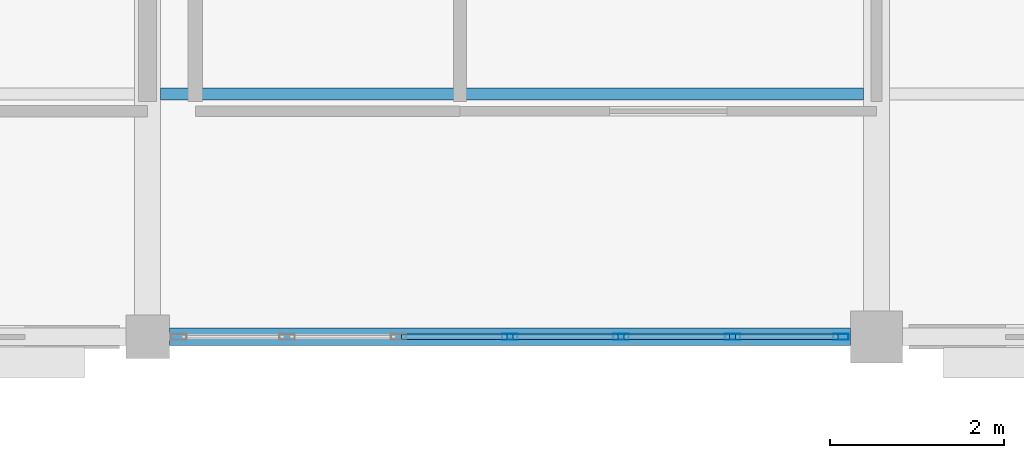
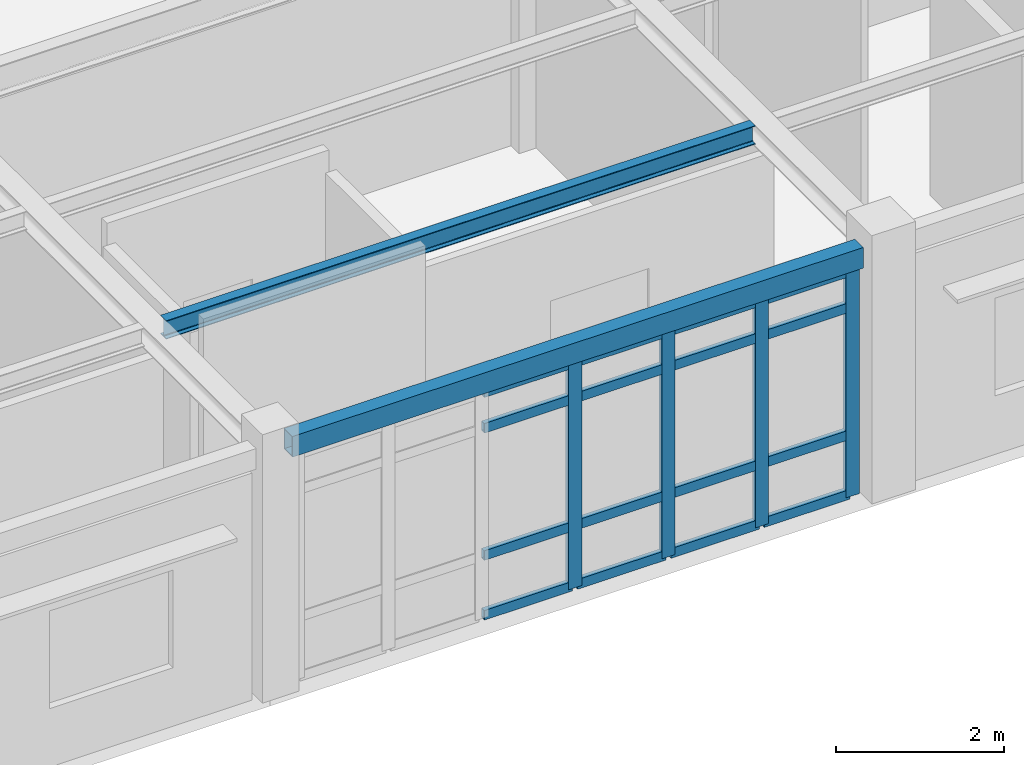
# One storey, part 17 of 70: 20 members, 2 beams, 1 element without a shape of its own.
"""IFC4 building model written with IfcOpenShell, lengths in metres."""

from ifc_helpers import new_model, si_unit, direction, frame, origin, origin_2d, place, context, subcontext, project, spatial, hollow_rectangle, i_section, extrude, material, layer, layer_set, material_profile, profile_set, type_object, element, aggregate, save


model = new_model("IFC4")

# Units and contexts
model_context = context("Model", 3, precision=1e-05, world=origin(), true_north=direction((0.0, 1.0)))
body_context = subcontext(model_context, "Body", "Model", "MODEL_VIEW")
ifc_project = project(units=[si_unit("LENGTHUNIT", "METRE"), si_unit("AREAUNIT", "SQUARE_METRE"), si_unit("VOLUMEUNIT", "CUBIC_METRE"), si_unit("PLANEANGLEUNIT", "RADIAN"), si_unit("MASSUNIT", "GRAM", prefix="KILO")], contexts=[model_context])

# Site, building, storey
site_placement = place(None, origin())
site = spatial("IfcSite", under=ifc_project, at=site_placement, CompositionType="ELEMENT")
building_placement = place(site_placement, origin())
building = spatial("IfcBuilding", under=site, at=building_placement, Name="Bramfleet General Hospital", CompositionType="ELEMENT")
storey_placement = place(building_placement, frame((0.0, 0.0, 22.5)))
storey = spatial("IfcBuildingStorey", under=building, at=storey_placement, Name="L05", CompositionType="ELEMENT", Elevation=22.5)

# Beams
ifc_material_1 = material(Name="Steel S355", Category="steel")
ifc_material_profile_1 = material_profile(ifc_material_1, i_section(OverallWidth=0.135009765625, OverallDepth=0.27001953125, WebThickness=0.006591796875, FlangeThickness=0.01025390625, FilletRadius=0.014892578125, at=origin_2d()), Name="IPE 270")
ifc_profile_set_1 = profile_set([ifc_material_profile_1], Name="Steel S355")
beam_type_1 = type_object("IfcBeamType", Name="BM-IPE270", PredefinedType="JOIST", material=ifc_profile_set_1)
beam_1_placement = place(storey_placement, frame((58.949951171875, 95.199951171875, 3.47509765625), z_axis=(1.0, 0.0, 0.0), x_axis=(0.0, 1.0, 0.0)))
element("IfcBeam", 1, at=beam_1_placement, inside=storey, type_object=beam_type_1, Name="L05 Secondary Joist 07-11-1", PredefinedType="JOIST", context=body_context, shape_type="SweptSolid", body=[
    extrude(i_section(OverallWidth=0.135009765625, OverallDepth=0.27001953125, WebThickness=0.006591796875, FlangeThickness=0.01025390625, FilletRadius=0.014892578125, at=origin_2d()), origin(), (0.0, 0.0, 1.0), 8.10009765625),
])
ifc_material_profile_2 = material_profile(ifc_material_1, hollow_rectangle(XDim=0.199951171875, YDim=0.300048828125, WallThickness=0.012451171875, at=origin_2d()), Name="RHS 300x200x12.5")
ifc_profile_set_2 = profile_set([ifc_material_profile_2], Name="Steel S355")
beam_type_2 = type_object("IfcBeamType", Name="BM-RHS300", PredefinedType="SPANDREL", material=ifc_profile_set_2)
beam_2_placement = place(storey_placement, frame((59.050048828125, 92.39990234375, 3.4599609375), z_axis=(1.0, 0.0, 0.0), x_axis=(0.0, 1.0, 0.0)))
element("IfcBeam", 2, at=beam_2_placement, inside=storey, type_object=beam_type_2, Name="L05 Grid Beam X 07-11", PredefinedType="SPANDREL", context=body_context, shape_type="SweptSolid", body=[
    extrude(hollow_rectangle(XDim=0.199951171875, YDim=0.300048828125, WallThickness=0.012451171875, at=origin_2d()), origin(), (0.0, 0.0, 1.0), 7.849853515625),
])

# Curtain wall, members
ifc_material_2 = material(Name="Anodised aluminium and low-E triple glazing", Category="aluminium")
ifc_layer = layer(ifc_material_2, 0.179931640625, Name="CWT-CW-03")
ifc_layer_set = layer_set([ifc_layer], Name="Anodised aluminium and low-E triple glazing")
curtain_wall_type = type_object("IfcCurtainWallType", Name="CWT-CW-03", PredefinedType="USERDEFINED", material=ifc_layer_set)
curtain_wall_placement = place(storey_placement, origin())
curtain_wall = element("IfcCurtainWall", 3, at=curtain_wall_placement, inside=storey, type_object=curtain_wall_type, Name="L05 Curtain Wall 201", ObjectType="Unitised curtain wall", PredefinedType="USERDEFINED")
ifc_material_3 = material(Name="Anodised aluminium EN AW-6060", Category="aluminium")
ifc_material_profile_3 = material_profile(ifc_material_3, hollow_rectangle(XDim=0.070068359375, YDim=0.179931640625, WallThickness=0.00390625, at=origin_2d()), Name="ALU 180x70x4.0")
ifc_profile_set_3 = profile_set([ifc_material_profile_3], Name="Anodised aluminium EN AW-6060")
member_type_1 = type_object("IfcMemberType", Name="CWM-ALU180", PredefinedType="MULLION", material=ifc_profile_set_3)
member_1_placement = place(storey_placement, frame((66.7900390625, 92.39990234375, 0.0), z_axis=(0.0, 0.0, 1.0), x_axis=(0.0, -1.0, 0.0)))
member_1 = element("IfcMember", 4, at=member_1_placement, type_object=member_type_1, Name="CW-03 mullion 1", PredefinedType="MULLION", context=body_context, shape_type="SweptSolid", body=[
    extrude(hollow_rectangle(XDim=0.070068359375, YDim=0.179931640625, WallThickness=0.00390625, at=origin_2d()), origin(), (0.0, 0.0, 1.0), 3.300048828125),
])
member_2_placement = place(storey_placement, frame((65.541748046875, 92.39990234375, 0.0), z_axis=(0.0, 0.0, 1.0), x_axis=(0.0, -1.0, 0.0)))
member_2 = element("IfcMember", 5, at=member_2_placement, type_object=member_type_1, Name="CW-03 mullion 2", PredefinedType="MULLION", context=body_context, shape_type="SweptSolid", body=[
    extrude(hollow_rectangle(XDim=0.070068359375, YDim=0.179931640625, WallThickness=0.00390625, at=origin_2d()), origin(), (0.0, 0.0, 1.0), 3.300048828125),
])
member_3_placement = place(storey_placement, frame((64.25830078125, 92.39990234375, 0.0), z_axis=(0.0, 0.0, 1.0), x_axis=(0.0, -1.0, 0.0)))
member_3 = element("IfcMember", 6, at=member_3_placement, type_object=member_type_1, Name="CW-03 mullion 3", PredefinedType="MULLION", context=body_context, shape_type="SweptSolid", body=[
    extrude(hollow_rectangle(XDim=0.070068359375, YDim=0.179931640625, WallThickness=0.00390625, at=origin_2d()), origin(), (0.0, 0.0, 1.0), 3.300048828125),
])
member_4_placement = place(storey_placement, frame((62.97509765625, 92.39990234375, 0.0), z_axis=(0.0, 0.0, 1.0), x_axis=(0.0, -1.0, 0.0)))
member_4 = element("IfcMember", 7, at=member_4_placement, type_object=member_type_1, Name="CW-03 mullion 4", PredefinedType="MULLION", context=body_context, shape_type="SweptSolid", body=[
    extrude(hollow_rectangle(XDim=0.070068359375, YDim=0.179931640625, WallThickness=0.00390625, at=origin_2d()), origin(), (0.0, 0.0, 1.0), 3.300048828125),
])
ifc_material_profile_4 = material_profile(ifc_material_3, hollow_rectangle(XDim=0.06494140625, YDim=0.139892578125, WallThickness=0.00390625, at=origin_2d()), Name="ALU 140x65x4.0")
ifc_profile_set_4 = profile_set([ifc_material_profile_4], Name="Anodised aluminium EN AW-6060")
member_type_2 = type_object("IfcMemberType", Name="CWT-ALU140", PredefinedType="USERDEFINED", material=ifc_profile_set_4)
member_5_placement = place(storey_placement, frame((66.7548828125, 92.39990234375, 0.032470703125), z_axis=(-1.0, 0.0, 0.0), x_axis=(0.0, -1.0, 0.0)))
member_5 = element("IfcMember", 8, at=member_5_placement, type_object=member_type_2, Name="CW-03 transom 1.1", ObjectType="TRANSOM", PredefinedType="USERDEFINED", context=body_context, shape_type="SweptSolid", body=[
    extrude(hollow_rectangle(XDim=0.06494140625, YDim=0.139892578125, WallThickness=0.00390625, at=origin_2d()), origin(), (0.0, 0.0, 1.0), 1.17822265625),
])
member_6_placement = place(storey_placement, frame((66.7548828125, 92.39990234375, 0.89990234375), z_axis=(-1.0, 0.0, 0.0), x_axis=(0.0, -1.0, 0.0)))
member_6 = element("IfcMember", 9, at=member_6_placement, type_object=member_type_2, Name="CW-03 transom 1.2", ObjectType="TRANSOM", PredefinedType="USERDEFINED", context=body_context, shape_type="SweptSolid", body=[
    extrude(hollow_rectangle(XDim=0.06494140625, YDim=0.139892578125, WallThickness=0.00390625, at=origin_2d()), origin(), (0.0, 0.0, 1.0), 1.17822265625),
])
member_7_placement = place(storey_placement, frame((66.7548828125, 92.39990234375, 2.75), z_axis=(-1.0, 0.0, 0.0), x_axis=(0.0, -1.0, 0.0)))
member_7 = element("IfcMember", 10, at=member_7_placement, type_object=member_type_2, Name="CW-03 transom 1.3", ObjectType="TRANSOM", PredefinedType="USERDEFINED", context=body_context, shape_type="SweptSolid", body=[
    extrude(hollow_rectangle(XDim=0.06494140625, YDim=0.139892578125, WallThickness=0.00390625, at=origin_2d()), origin(), (0.0, 0.0, 1.0), 1.17822265625),
])
member_8_placement = place(storey_placement, frame((66.7548828125, 92.39990234375, 3.267578125), z_axis=(-1.0, 0.0, 0.0), x_axis=(0.0, -1.0, 0.0)))
member_8 = element("IfcMember", 11, at=member_8_placement, type_object=member_type_2, Name="CW-03 transom 1.4", ObjectType="TRANSOM", PredefinedType="USERDEFINED", context=body_context, shape_type="SweptSolid", body=[
    extrude(hollow_rectangle(XDim=0.06494140625, YDim=0.139892578125, WallThickness=0.00390625, at=origin_2d()), origin(), (0.0, 0.0, 1.0), 1.17822265625),
])
member_9_placement = place(storey_placement, frame((65.506591796875, 92.39990234375, 0.032470703125), z_axis=(-1.0, 0.0, 0.0), x_axis=(0.0, -1.0, 0.0)))
member_9 = element("IfcMember", 12, at=member_9_placement, type_object=member_type_2, Name="CW-03 transom 2.1", ObjectType="TRANSOM", PredefinedType="USERDEFINED", context=body_context, shape_type="SweptSolid", body=[
    extrude(hollow_rectangle(XDim=0.06494140625, YDim=0.139892578125, WallThickness=0.00390625, at=origin_2d()), origin(), (0.0, 0.0, 1.0), 1.21337890625),
])
member_10_placement = place(storey_placement, frame((65.506591796875, 92.39990234375, 0.89990234375), z_axis=(-1.0, 0.0, 0.0), x_axis=(0.0, -1.0, 0.0)))
member_10 = element("IfcMember", 13, at=member_10_placement, type_object=member_type_2, Name="CW-03 transom 2.2", ObjectType="TRANSOM", PredefinedType="USERDEFINED", context=body_context, shape_type="SweptSolid", body=[
    extrude(hollow_rectangle(XDim=0.06494140625, YDim=0.139892578125, WallThickness=0.00390625, at=origin_2d()), origin(), (0.0, 0.0, 1.0), 1.21337890625),
])
member_11_placement = place(storey_placement, frame((65.506591796875, 92.39990234375, 2.75), z_axis=(-1.0, 0.0, 0.0), x_axis=(0.0, -1.0, 0.0)))
member_11 = element("IfcMember", 14, at=member_11_placement, type_object=member_type_2, Name="CW-03 transom 2.3", ObjectType="TRANSOM", PredefinedType="USERDEFINED", context=body_context, shape_type="SweptSolid", body=[
    extrude(hollow_rectangle(XDim=0.06494140625, YDim=0.139892578125, WallThickness=0.00390625, at=origin_2d()), origin(), (0.0, 0.0, 1.0), 1.21337890625),
])
member_12_placement = place(storey_placement, frame((65.506591796875, 92.39990234375, 3.267578125), z_axis=(-1.0, 0.0, 0.0), x_axis=(0.0, -1.0, 0.0)))
member_12 = element("IfcMember", 15, at=member_12_placement, type_object=member_type_2, Name="CW-03 transom 2.4", ObjectType="TRANSOM", PredefinedType="USERDEFINED", context=body_context, shape_type="SweptSolid", body=[
    extrude(hollow_rectangle(XDim=0.06494140625, YDim=0.139892578125, WallThickness=0.00390625, at=origin_2d()), origin(), (0.0, 0.0, 1.0), 1.21337890625),
])
member_13_placement = place(storey_placement, frame((64.223388671875, 92.39990234375, 0.032470703125), z_axis=(-1.0, 0.0, 0.0), x_axis=(0.0, -1.0, 0.0)))
member_13 = element("IfcMember", 16, at=member_13_placement, type_object=member_type_2, Name="CW-03 transom 3.1", ObjectType="TRANSOM", PredefinedType="USERDEFINED", context=body_context, shape_type="SweptSolid", body=[
    extrude(hollow_rectangle(XDim=0.06494140625, YDim=0.139892578125, WallThickness=0.00390625, at=origin_2d()), origin(), (0.0, 0.0, 1.0), 1.21337890625),
])
member_14_placement = place(storey_placement, frame((64.223388671875, 92.39990234375, 0.89990234375), z_axis=(-1.0, 0.0, 0.0), x_axis=(0.0, -1.0, 0.0)))
member_14 = element("IfcMember", 17, at=member_14_placement, type_object=member_type_2, Name="CW-03 transom 3.2", ObjectType="TRANSOM", PredefinedType="USERDEFINED", context=body_context, shape_type="SweptSolid", body=[
    extrude(hollow_rectangle(XDim=0.06494140625, YDim=0.139892578125, WallThickness=0.00390625, at=origin_2d()), origin(), (0.0, 0.0, 1.0), 1.21337890625),
])
member_15_placement = place(storey_placement, frame((64.223388671875, 92.39990234375, 2.75), z_axis=(-1.0, 0.0, 0.0), x_axis=(0.0, -1.0, 0.0)))
member_15 = element("IfcMember", 18, at=member_15_placement, type_object=member_type_2, Name="CW-03 transom 3.3", ObjectType="TRANSOM", PredefinedType="USERDEFINED", context=body_context, shape_type="SweptSolid", body=[
    extrude(hollow_rectangle(XDim=0.06494140625, YDim=0.139892578125, WallThickness=0.00390625, at=origin_2d()), origin(), (0.0, 0.0, 1.0), 1.21337890625),
])
member_16_placement = place(storey_placement, frame((64.223388671875, 92.39990234375, 3.267578125), z_axis=(-1.0, 0.0, 0.0), x_axis=(0.0, -1.0, 0.0)))
member_16 = element("IfcMember", 19, at=member_16_placement, type_object=member_type_2, Name="CW-03 transom 3.4", ObjectType="TRANSOM", PredefinedType="USERDEFINED", context=body_context, shape_type="SweptSolid", body=[
    extrude(hollow_rectangle(XDim=0.06494140625, YDim=0.139892578125, WallThickness=0.00390625, at=origin_2d()), origin(), (0.0, 0.0, 1.0), 1.21337890625),
])
member_17_placement = place(storey_placement, frame((62.93994140625, 92.39990234375, 0.032470703125), z_axis=(-1.0, 0.0, 0.0), x_axis=(0.0, -1.0, 0.0)))
member_17 = element("IfcMember", 20, at=member_17_placement, type_object=member_type_2, Name="CW-03 transom 4.1", ObjectType="TRANSOM", PredefinedType="USERDEFINED", context=body_context, shape_type="SweptSolid", body=[
    extrude(hollow_rectangle(XDim=0.06494140625, YDim=0.139892578125, WallThickness=0.00390625, at=origin_2d()), origin(), (0.0, 0.0, 1.0), 1.21337890625),
])
member_18_placement = place(storey_placement, frame((62.93994140625, 92.39990234375, 0.89990234375), z_axis=(-1.0, 0.0, 0.0), x_axis=(0.0, -1.0, 0.0)))
member_18 = element("IfcMember", 21, at=member_18_placement, type_object=member_type_2, Name="CW-03 transom 4.2", ObjectType="TRANSOM", PredefinedType="USERDEFINED", context=body_context, shape_type="SweptSolid", body=[
    extrude(hollow_rectangle(XDim=0.06494140625, YDim=0.139892578125, WallThickness=0.00390625, at=origin_2d()), origin(), (0.0, 0.0, 1.0), 1.21337890625),
])
member_19_placement = place(storey_placement, frame((62.93994140625, 92.39990234375, 2.75), z_axis=(-1.0, 0.0, 0.0), x_axis=(0.0, -1.0, 0.0)))
member_19 = element("IfcMember", 22, at=member_19_placement, type_object=member_type_2, Name="CW-03 transom 4.3", ObjectType="TRANSOM", PredefinedType="USERDEFINED", context=body_context, shape_type="SweptSolid", body=[
    extrude(hollow_rectangle(XDim=0.06494140625, YDim=0.139892578125, WallThickness=0.00390625, at=origin_2d()), origin(), (0.0, 0.0, 1.0), 1.21337890625),
])
member_20_placement = place(storey_placement, frame((62.93994140625, 92.39990234375, 3.267578125), z_axis=(-1.0, 0.0, 0.0), x_axis=(0.0, -1.0, 0.0)))
member_20 = element("IfcMember", 23, at=member_20_placement, type_object=member_type_2, Name="CW-03 transom 4.4", ObjectType="TRANSOM", PredefinedType="USERDEFINED", context=body_context, shape_type="SweptSolid", body=[
    extrude(hollow_rectangle(XDim=0.06494140625, YDim=0.139892578125, WallThickness=0.00390625, at=origin_2d()), origin(), (0.0, 0.0, 1.0), 1.21337890625),
])
aggregate(curtain_wall, [member_1, member_2, member_3, member_4, member_5, member_6, member_7, member_8, member_9, member_10, member_11, member_12, member_13, member_14, member_15, member_16, member_17, member_18, member_19, member_20])

save(model, "model.ifc")
